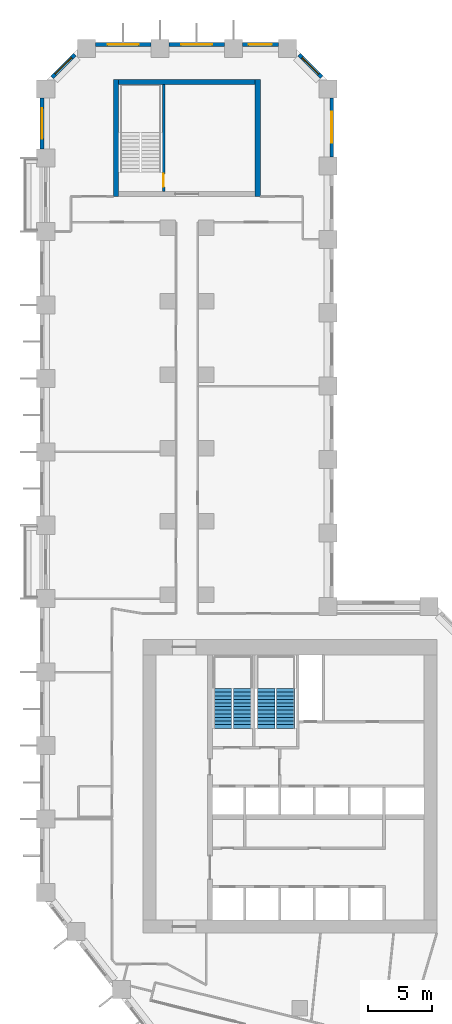
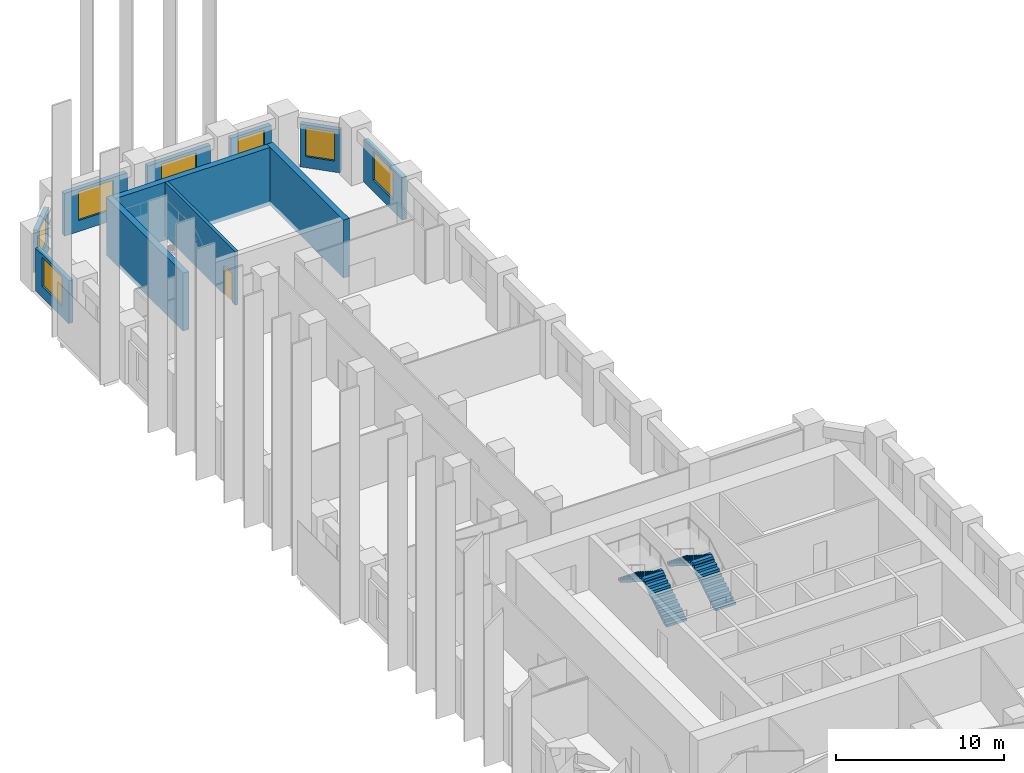
# One storey, part 9 of 11: 11 walls, 7 windows, 4 stair flights, 1 door, 8 openings, 2 elements without a shape of their own.
"""IFC4 building model written with IfcOpenShell, lengths in metres."""

from ifc_helpers import new_model, si_unit, direction, frame, frame_2d, origin, place, context, subcontext, project, spatial, polyline, rectangle, outline, extrude, material, layer, layer_set, type_object, element, fill, aggregate, save


model = new_model("IFC4")

# Units and contexts
model_context = context("Model", 3, precision=1e-05, world=origin(), true_north=direction((0.0, 1.0)))
body_context = subcontext(model_context, "Body", "Model", "MODEL_VIEW")
ifc_project = project(units=[si_unit("LENGTHUNIT", "METRE"), si_unit("AREAUNIT", "SQUARE_METRE"), si_unit("VOLUMEUNIT", "CUBIC_METRE"), si_unit("PLANEANGLEUNIT", "RADIAN"), si_unit("MASSUNIT", "GRAM", prefix="KILO")], contexts=[model_context])

# Site, building, storey
site_placement = place(None, origin())
site = spatial("IfcSite", under=ifc_project, at=site_placement, CompositionType="ELEMENT")
building_placement = place(site_placement, origin())
building = spatial("IfcBuilding", under=site, at=building_placement, Name="Meshkara Civic Tower", CompositionType="ELEMENT")
storey_placement = place(building_placement, frame((0.0, 0.0, 49.800048828125)))
storey = spatial("IfcBuildingStorey", under=building, at=storey_placement, Name="L10", CompositionType="ELEMENT", Elevation=49.800048828125)

# Wall, opening, window
ifc_material_1 = material(Name="Insulated infill panel with bronze anodised aluminium cladding", Category="aluminium")
ifc_layer_1 = layer(ifc_material_1, 0.300048828125)
ifc_layer_set_1 = layer_set([ifc_layer_1], Name="EXTERNAL INFILL WALL 300")
wall_type_1 = type_object("IfcWallType", Name="EXTERNAL INFILL WALL 300", PredefinedType="SOLIDWALL", material=ifc_layer_set_1)
wall_1_placement = place(storey_placement, frame((22.64990234375, 74.35009765625, 0.0), z_axis=(0.0, 0.0, 1.0), x_axis=(0.0, 1.0, 0.0)))
wall_1 = element("IfcWall", 1, at=wall_1_placement, inside=storey, type_object=wall_type_1, Name="External wall", PredefinedType="SOLIDWALL", context=body_context, shape_type="SweptSolid", body=[
    extrude(rectangle(XDim=4.56396484375, YDim=0.300048828125, at=frame_2d((2.281982421875, 0.0))), origin(), (0.0, 0.0, 1.0), 3.099853515625),
])
opening_1_placement = place(wall_1_placement, frame((1.08203125, 0.0, 0.800048828125)))
opening_1 = element("IfcOpeningElement", 2, at=opening_1_placement, cuts=wall_1, Name="Opening W7", PredefinedType="OPENING", context=body_context, shape_type="SweptSolid", body=[
    extrude(rectangle(XDim=2.39990234375, YDim=2.10009765625, at=frame_2d((1.199951171875, 1.050048828125))), frame((0.0, 0.159912109375, 0.0), z_axis=(0.0, -1.0, 0.0), x_axis=(1.0, 0.0, 0.0)), (0.0, 0.0, 1.0), 0.320068359375),
])
ifc_material_2 = material(Name="Tinted double glazing", Category="glass")
window_type_1 = type_object("IfcWindowType", Name="WINDOW 2400x2100", PartitioningType="DOUBLE_PANEL_VERTICAL", PredefinedType="WINDOW", material=ifc_material_2)
window_1_placement = place(opening_1_placement, origin())
window_1 = element("IfcWindow", 3, at=window_1_placement, inside=storey, type_object=window_type_1, Name="Window", OverallHeight=2.10009765625, OverallWidth=2.39990234375, PartitioningType="DOUBLE_PANEL_VERTICAL", PredefinedType="WINDOW", context=body_context, shape_type="SweptSolid", body=[
    extrude(rectangle(XDim=2.39990234375, YDim=2.10009765625, at=frame_2d((1.199951171875, 1.050048828125))), frame((0.0, 0.030029296875, 0.0), z_axis=(0.0, -1.0, 0.0), x_axis=(1.0, 0.0, 0.0)), (0.0, 0.0, 1.0), 0.06005859375),
])
fill(opening_1, window_1)

wall_2_placement = place(storey_placement, frame((21.862060546875, 80.52587890625, 0.0), z_axis=(0.0, 0.0, 1.0), x_axis=(-0.707106781187, 0.707106781187, 0.0)))
wall_2 = element("IfcWall", 4, at=wall_2_placement, inside=storey, type_object=wall_type_1, Name="External wall", PredefinedType="SOLIDWALL", context=body_context, shape_type="SweptSolid", body=[
    extrude(rectangle(XDim=2.4833984375, YDim=0.300048828125, at=frame_2d((1.24169921875, 0.0))), origin(), (0.0, 0.0, 1.0), 3.099853515625),
])
opening_2_placement = place(wall_2_placement, frame((0.342041015625, 0.0, 0.800048828125)))
opening_2 = element("IfcOpeningElement", 5, at=opening_2_placement, cuts=wall_2, Name="Opening W9", PredefinedType="OPENING", context=body_context, shape_type="SweptSolid", body=[
    extrude(rectangle(XDim=1.800048828125, YDim=2.10009765625, at=frame_2d((0.89990234375, 1.050048828125))), frame((0.0, 0.159912109375, 0.0), z_axis=(0.0, -1.0, 0.0), x_axis=(1.0, 0.0, 0.0)), (0.0, 0.0, 1.0), 0.320068359375),
])
ifc_material_3 = material(Name="Tinted double glazing", Category="glass")
window_type_2 = type_object("IfcWindowType", Name="WINDOW 1800x2100", PartitioningType="DOUBLE_PANEL_VERTICAL", PredefinedType="WINDOW", material=ifc_material_3)
window_2_placement = place(opening_2_placement, origin())
window_2 = element("IfcWindow", 6, at=window_2_placement, inside=storey, type_object=window_type_2, Name="Window", OverallHeight=2.10009765625, OverallWidth=1.800048828125, PartitioningType="DOUBLE_PANEL_VERTICAL", PredefinedType="WINDOW", context=body_context, shape_type="SweptSolid", body=[
    extrude(rectangle(XDim=1.800048828125, YDim=2.10009765625, at=frame_2d((0.89990234375, 1.050048828125))), frame((0.0, 0.030029296875, 0.0), z_axis=(0.0, -1.0, 0.0), x_axis=(1.0, 0.0, 0.0)), (0.0, 0.0, 1.0), 0.06005859375),
])
fill(opening_2, window_2)

wall_3_placement = place(storey_placement, frame((18.493896484375, 83.070068359375, 0.0), z_axis=(0.0, 0.0, 1.0), x_axis=(-1.0, 0.0, 0.0)))
wall_3 = element("IfcWall", 7, at=wall_3_placement, inside=storey, type_object=wall_type_1, Name="External wall", PredefinedType="SOLIDWALL", context=body_context, shape_type="SweptSolid", body=[
    extrude(rectangle(XDim=2.787841796875, YDim=0.300048828125, at=frame_2d((1.39404296875, 0.0))), origin(), (0.0, 0.0, 1.0), 3.099853515625),
])
opening_3_placement = place(wall_3_placement, frame((0.493896484375, 0.0, 0.800048828125)))
opening_3 = element("IfcOpeningElement", 8, at=opening_3_placement, cuts=wall_3, Name="Opening W9", PredefinedType="OPENING", context=body_context, shape_type="SweptSolid", body=[
    extrude(rectangle(XDim=1.800048828125, YDim=2.10009765625, at=frame_2d((0.89990234375, 1.050048828125))), frame((0.0, 0.159912109375, 0.0), z_axis=(0.0, -1.0, 0.0), x_axis=(1.0, 0.0, 0.0)), (0.0, 0.0, 1.0), 0.320068359375),
])
window_3_placement = place(opening_3_placement, origin())
window_3 = element("IfcWindow", 9, at=window_3_placement, inside=storey, type_object=window_type_2, Name="Window", OverallHeight=2.10009765625, OverallWidth=1.800048828125, PartitioningType="DOUBLE_PANEL_VERTICAL", PredefinedType="WINDOW", context=body_context, shape_type="SweptSolid", body=[
    extrude(rectangle(XDim=1.800048828125, YDim=2.10009765625, at=frame_2d((0.89990234375, 1.050048828125))), frame((0.0, 0.030029296875, 0.0), z_axis=(0.0, -1.0, 0.0), x_axis=(1.0, 0.0, 0.0)), (0.0, 0.0, 1.0), 0.06005859375),
])
fill(opening_3, window_3)

wall_4_placement = place(storey_placement, frame((14.305908203125, 83.070068359375, 0.0), z_axis=(0.0, 0.0, 1.0), x_axis=(-1.0, 0.0, 0.0)))
wall_4 = element("IfcWall", 10, at=wall_4_placement, inside=storey, type_object=wall_type_1, Name="External wall", PredefinedType="SOLIDWALL", context=body_context, shape_type="SweptSolid", body=[
    extrude(rectangle(XDim=4.2998046875, YDim=0.300048828125, at=frame_2d((2.14990234375, 0.0))), origin(), (0.0, 0.0, 1.0), 3.099853515625),
])
opening_4_placement = place(wall_4_placement, frame((0.949951171875, 0.0, 0.800048828125)))
opening_4 = element("IfcOpeningElement", 11, at=opening_4_placement, cuts=wall_4, Name="Opening W7", PredefinedType="OPENING", context=body_context, shape_type="SweptSolid", body=[
    extrude(rectangle(XDim=2.39990234375, YDim=2.10009765625, at=frame_2d((1.199951171875, 1.050048828125))), frame((0.0, 0.159912109375, 0.0), z_axis=(0.0, -1.0, 0.0), x_axis=(1.0, 0.0, 0.0)), (0.0, 0.0, 1.0), 0.320068359375),
])
window_4_placement = place(opening_4_placement, origin())
window_4 = element("IfcWindow", 12, at=window_4_placement, inside=storey, type_object=window_type_1, Name="Window", OverallHeight=2.10009765625, OverallWidth=2.39990234375, PartitioningType="DOUBLE_PANEL_VERTICAL", PredefinedType="WINDOW", context=body_context, shape_type="SweptSolid", body=[
    extrude(rectangle(XDim=2.39990234375, YDim=2.10009765625, at=frame_2d((1.199951171875, 1.050048828125))), frame((0.0, 0.030029296875, 0.0), z_axis=(0.0, -1.0, 0.0), x_axis=(1.0, 0.0, 0.0)), (0.0, 0.0, 1.0), 0.06005859375),
])
fill(opening_4, window_4)

wall_5_placement = place(storey_placement, frame((8.60595703125, 83.070068359375, 0.0), z_axis=(0.0, 0.0, 1.0), x_axis=(-1.0, 0.0, 0.0)))
wall_5 = element("IfcWall", 13, at=wall_5_placement, inside=storey, type_object=wall_type_1, Name="External wall", PredefinedType="SOLIDWALL", context=body_context, shape_type="SweptSolid", body=[
    extrude(rectangle(XDim=4.300048828125, YDim=0.300048828125, at=frame_2d((2.14990234375, 0.0))), origin(), (0.0, 0.0, 1.0), 3.099853515625),
])
opening_5_placement = place(wall_5_placement, frame((0.949951171875, 0.0, 0.800048828125)))
opening_5 = element("IfcOpeningElement", 14, at=opening_5_placement, cuts=wall_5, Name="Opening W7", PredefinedType="OPENING", context=body_context, shape_type="SweptSolid", body=[
    extrude(rectangle(XDim=2.39990234375, YDim=2.10009765625, at=frame_2d((1.199951171875, 1.050048828125))), frame((0.0, 0.159912109375, 0.0), z_axis=(0.0, -1.0, 0.0), x_axis=(1.0, 0.0, 0.0)), (0.0, 0.0, 1.0), 0.320068359375),
])
window_5_placement = place(opening_5_placement, origin())
window_5 = element("IfcWindow", 15, at=window_5_placement, inside=storey, type_object=window_type_1, Name="Window", OverallHeight=2.10009765625, OverallWidth=2.39990234375, PartitioningType="DOUBLE_PANEL_VERTICAL", PredefinedType="WINDOW", context=body_context, shape_type="SweptSolid", body=[
    extrude(rectangle(XDim=2.39990234375, YDim=2.10009765625, at=frame_2d((1.199951171875, 1.050048828125))), frame((0.0, 0.030029296875, 0.0), z_axis=(0.0, -1.0, 0.0), x_axis=(1.0, 0.0, 0.0)), (0.0, 0.0, 1.0), 0.06005859375),
])
fill(opening_5, window_5)

wall_6_placement = place(storey_placement, frame((2.694091796875, 82.281982421875, 0.0), z_axis=(0.0, 0.0, 1.0), x_axis=(-0.707106781187, -0.707106781187, 0.0)))
wall_6 = element("IfcWall", 16, at=wall_6_placement, inside=storey, type_object=wall_type_1, Name="External wall", PredefinedType="SOLIDWALL", context=body_context, shape_type="SweptSolid", body=[
    extrude(rectangle(XDim=2.4833984375, YDim=0.300048828125, at=frame_2d((1.24169921875, 0.0))), origin(), (0.0, 0.0, 1.0), 3.099853515625),
])
opening_6_placement = place(wall_6_placement, frame((0.342041015625, 0.0, 0.800048828125)))
opening_6 = element("IfcOpeningElement", 17, at=opening_6_placement, cuts=wall_6, Name="Opening W9", PredefinedType="OPENING", context=body_context, shape_type="SweptSolid", body=[
    extrude(rectangle(XDim=1.800048828125, YDim=2.10009765625, at=frame_2d((0.89990234375, 1.050048828125))), frame((0.0, 0.159912109375, 0.0), z_axis=(0.0, -1.0, 0.0), x_axis=(1.0, 0.0, 0.0)), (0.0, 0.0, 1.0), 0.320068359375),
])
window_6_placement = place(opening_6_placement, origin())
window_6 = element("IfcWindow", 18, at=window_6_placement, inside=storey, type_object=window_type_2, Name="Window", OverallHeight=2.10009765625, OverallWidth=1.800048828125, PartitioningType="DOUBLE_PANEL_VERTICAL", PredefinedType="WINDOW", context=body_context, shape_type="SweptSolid", body=[
    extrude(rectangle(XDim=1.800048828125, YDim=2.10009765625, at=frame_2d((0.89990234375, 1.050048828125))), frame((0.0, 0.030029296875, 0.0), z_axis=(0.0, -1.0, 0.0), x_axis=(1.0, 0.0, 0.0)), (0.0, 0.0, 1.0), 0.06005859375),
])
fill(opening_6, window_6)

wall_7_placement = place(storey_placement, frame((0.14990234375, 78.9140625, 0.0), z_axis=(0.0, 0.0, 1.0), x_axis=(0.0, -1.0, 0.0)))
wall_7 = element("IfcWall", 19, at=wall_7_placement, inside=storey, type_object=wall_type_1, Name="External wall", PredefinedType="SOLIDWALL", context=body_context, shape_type="SweptSolid", body=[
    extrude(rectangle(XDim=3.958984375, YDim=0.300048828125, at=frame_2d((1.9794921875, 0.0))), origin(), (0.0, 0.0, 1.0), 3.099853515625),
])
opening_7_placement = place(wall_7_placement, frame((0.780029296875, 0.0, 0.800048828125)))
opening_7 = element("IfcOpeningElement", 20, at=opening_7_placement, cuts=wall_7, Name="Opening W7", PredefinedType="OPENING", context=body_context, shape_type="SweptSolid", body=[
    extrude(rectangle(XDim=2.39990234375, YDim=2.10009765625, at=frame_2d((1.199951171875, 1.050048828125))), frame((0.0, 0.159912109375, 0.0), z_axis=(0.0, -1.0, 0.0), x_axis=(1.0, 0.0, 0.0)), (0.0, 0.0, 1.0), 0.320068359375),
])
window_7_placement = place(opening_7_placement, origin())
window_7 = element("IfcWindow", 21, at=window_7_placement, inside=storey, type_object=window_type_1, Name="Window", OverallHeight=2.10009765625, OverallWidth=2.39990234375, PartitioningType="DOUBLE_PANEL_VERTICAL", PredefinedType="WINDOW", context=body_context, shape_type="SweptSolid", body=[
    extrude(rectangle(XDim=2.39990234375, YDim=2.10009765625, at=frame_2d((1.199951171875, 1.050048828125))), frame((0.0, 0.030029296875, 0.0), z_axis=(0.0, -1.0, 0.0), x_axis=(1.0, 0.0, 0.0)), (0.0, 0.0, 1.0), 0.06005859375),
])
fill(opening_7, window_7)

# Walls
ifc_material_4 = material(Name="Concrete C80", Category="concrete")
ifc_layer_2 = layer(ifc_material_4, 0.39990234375)
ifc_layer_set_2 = layer_set([ifc_layer_2], Name="End core ring wall 400 C80")
wall_type_2 = type_object("IfcWallType", Name="End core ring wall 400 C80", PredefinedType="SHEAR", material=ifc_layer_set_2)
for number, where, z_axis, x_axis, name in (
    (22, (5.89990234375, 71.27001953125, -0.300048828125), (0.0, 0.0, 1.0), (0.0, 1.0, 0.0), "L10-C025"),
    (23, (16.89990234375, 71.27001953125, -0.300048828125), (0.0, 0.0, 1.0), (0.0, 1.0, 0.0), "L10-C026"),
):
    element("IfcWall", number, at=place(storey_placement, frame(where, z_axis=z_axis, x_axis=x_axis)), inside=storey, type_object=wall_type_2, Name=name, PredefinedType="SHEAR", context=body_context, shape_type="SweptSolid", body=[
        extrude(rectangle(XDim=9.10009765625, YDim=0.39990234375, at=frame_2d((4.550048828125, 0.0))), origin(), (0.0, 0.0, 1.0), 4.199951171875),
    ])
wall_8_placement = place(storey_placement, frame((6.10009765625, 80.169921875, -0.300048828125), z_axis=(0.0, 0.0, 1.0), x_axis=(1.0, 0.0, 0.0)))
element("IfcWall", 24, at=wall_8_placement, inside=storey, type_object=wall_type_2, Name="L10-C028", PredefinedType="SHEAR", context=body_context, shape_type="SweptSolid", body=[
    extrude(rectangle(XDim=10.599853515625, YDim=0.39990234375, at=frame_2d((5.2998046875, 0.0))), origin(), (0.0, 0.0, 1.0), 4.199951171875),
])

# Wall, opening, door
ifc_material_5 = material(Name="Concrete C40/50", Category="concrete")
ifc_layer_3 = layer(ifc_material_5, 0.199951171875)
ifc_layer_set_3 = layer_set([ifc_layer_3], Name="Stair enclosure wall 200 C40/50")
wall_type_3 = type_object("IfcWallType", Name="Stair enclosure wall 200 C40/50", PredefinedType="SOLIDWALL", material=ifc_layer_set_3)
wall_9_placement = place(storey_placement, frame((9.60009765625, 71.669921875, 0.0), z_axis=(0.0, 0.0, 1.0), x_axis=(0.0, 1.0, 0.0)))
wall_9 = element("IfcWall", 25, at=wall_9_placement, inside=storey, type_object=wall_type_3, Name="L10-C029", PredefinedType="SOLIDWALL", context=body_context, shape_type="SweptSolid", body=[
    extrude(rectangle(XDim=8.300048828125, YDim=0.199951171875, at=frame_2d((4.14990234375, 0.0))), origin(), (0.0, 0.0, 1.0), 3.89990234375),
])
opening_8_placement = place(wall_9_placement, frame((0.35009765625, 0.0, 0.0)))
opening_8 = element("IfcOpeningElement", 26, at=opening_8_placement, cuts=wall_9, Name="Opening L10-K101", PredefinedType="OPENING", context=body_context, shape_type="SweptSolid", body=[
    extrude(rectangle(XDim=1.0, YDim=2.10009765625, at=frame_2d((0.5, 1.050048828125))), frame((0.0, 0.10986328125, 0.0), z_axis=(0.0, -1.0, 0.0), x_axis=(1.0, 0.0, 0.0)), (0.0, 0.0, 1.0), 0.219970703125),
])
ifc_material_6 = material(Name="Fire-rated door leaf in steel frame", Category="steel")
door_type = type_object("IfcDoorType", Name="Stair door 1000 EI 120", OperationType="SINGLE_SWING_LEFT", PredefinedType="DOOR", material=ifc_material_6)
door_placement = place(opening_8_placement, origin())
door = element("IfcDoor", 27, at=door_placement, inside=storey, type_object=door_type, Name="L10-K101", OperationType="SINGLE_SWING_RIGHT", OverallHeight=2.10009765625, OverallWidth=1.0, PredefinedType="DOOR", context=body_context, shape_type="SweptSolid", body=[
    extrude(rectangle(XDim=1.0, YDim=2.10009765625, at=frame_2d((0.5, 1.050048828125))), frame((0.0, 0.02490234375, 0.0), z_axis=(0.0, -1.0, 0.0), x_axis=(1.0, 0.0, 0.0)), (0.0, 0.0, 1.0), 0.050048828125),
])
fill(opening_8, door)

# Stair, stair flights
ifc_material_7 = material(Name="Precast concrete C40/50", Category="concrete")
stair_type = type_object("IfcStairType", Name="Exit stair half-turn 24 risers precast", PredefinedType="HALF_TURN_STAIR", material=ifc_material_7)
stair_1_placement = place(storey_placement, origin())
stair_1 = element("IfcStair", 28, at=stair_1_placement, inside=storey, type_object=stair_type, Name="L10 exit stair 1", PredefinedType="HALF_TURN_STAIR")
ifc_material_8 = material(Name="Precast concrete C40/50", Category="concrete")
stair_flight_type = type_object("IfcStairFlightType", Name="Exit stair flight 12 risers precast", PredefinedType="STRAIGHT", material=ifc_material_8)
stair_flight_1_placement = place(storey_placement, frame((15.72509765625, 30.0, 0.0), z_axis=(0.0, 0.0, 1.0), x_axis=(0.0, 1.0, 0.0)))
stair_flight_1 = element("IfcStairFlight", 29, at=stair_flight_1_placement, type_object=stair_flight_type, Name="ST1 flight 1", NumberOfRisers=12, NumberOfTreads=11, PredefinedType="STRAIGHT", RiserHeight=0.175, TreadLength=0.28, context=body_context, shape_type="SweptSolid", body=[
    extrude(outline(polyline([(0.0, 0.0), (0.0, 0.175048828125), (0.280029296875, 0.175048828125), (0.280029296875, 0.35009765625), (0.56005859375, 0.35009765625), (0.56005859375, 0.52490234375), (0.840087890625, 0.52490234375), (0.840087890625, 0.699951171875), (1.1201171875, 0.699951171875), (1.1201171875, 0.875), (1.39990234375, 0.875), (1.39990234375, 1.050048828125), (1.679931640625, 1.050048828125), (1.679931640625, 1.22509765625), (1.9599609375, 1.22509765625), (1.9599609375, 1.39990234375), (2.239990234375, 1.39990234375), (2.239990234375, 1.574951171875), (2.52001953125, 1.574951171875), (2.52001953125, 1.75), (2.800048828125, 1.75), (2.800048828125, 1.925048828125), (3.080078125, 1.925048828125), (3.080078125, 2.10009765625), (3.080078125, 1.748291015625), (0.28271484375, 0.0), (0.0, 0.0)])), frame((0.0, 0.699951171875, 0.0), z_axis=(0.0, -1.0, 0.0), x_axis=(1.0, 0.0, 0.0)), (0.0, 0.0, 1.0), 1.39990234375),
])
stair_flight_2_placement = place(storey_placement, frame((14.175048828125, 33.080078125, 2.099853515625), z_axis=(0.0, 0.0, 1.0), x_axis=(0.0, -1.0, 0.0)))
stair_flight_2 = element("IfcStairFlight", 30, at=stair_flight_2_placement, type_object=stair_flight_type, Name="ST1 flight 2", NumberOfRisers=12, NumberOfTreads=11, PredefinedType="STRAIGHT", RiserHeight=0.175, TreadLength=0.28, context=body_context, shape_type="SweptSolid", body=[
    extrude(outline(polyline([(0.0, 0.0), (0.0, 0.175048828125), (0.280029296875, 0.175048828125), (0.280029296875, 0.35009765625), (0.56005859375, 0.35009765625), (0.56005859375, 0.52490234375), (0.840087890625, 0.52490234375), (0.840087890625, 0.699951171875), (1.1201171875, 0.699951171875), (1.1201171875, 0.875), (1.39990234375, 0.875), (1.39990234375, 1.050048828125), (1.679931640625, 1.050048828125), (1.679931640625, 1.22509765625), (1.9599609375, 1.22509765625), (1.9599609375, 1.39990234375), (2.239990234375, 1.39990234375), (2.239990234375, 1.574951171875), (2.52001953125, 1.574951171875), (2.52001953125, 1.75), (2.800048828125, 1.75), (2.800048828125, 1.925048828125), (3.080078125, 1.925048828125), (3.080078125, 2.10009765625), (3.080078125, 1.748291015625), (0.28271484375, 0.0), (0.0, 0.0)])), frame((0.0, 0.699951171875, 0.0), z_axis=(0.0, -1.0, 0.0), x_axis=(1.0, 0.0, 0.0)), (0.0, 0.0, 1.0), 1.39990234375),
])
aggregate(stair_1, [stair_flight_1, stair_flight_2])

stair_2_placement = place(storey_placement, origin())
stair_2 = element("IfcStair", 31, at=stair_2_placement, inside=storey, type_object=stair_type, Name="L10 exit stair 2", PredefinedType="HALF_TURN_STAIR")
stair_flight_3_placement = place(storey_placement, frame((19.074951171875, 30.0, 0.0), z_axis=(0.0, 0.0, 1.0), x_axis=(0.0, 1.0, 0.0)))
stair_flight_3 = element("IfcStairFlight", 32, at=stair_flight_3_placement, type_object=stair_flight_type, Name="ST2 flight 1", NumberOfRisers=12, NumberOfTreads=11, PredefinedType="STRAIGHT", RiserHeight=0.175, TreadLength=0.28, context=body_context, shape_type="SweptSolid", body=[
    extrude(outline(polyline([(0.0, 0.0), (0.0, 0.175048828125), (0.280029296875, 0.175048828125), (0.280029296875, 0.35009765625), (0.56005859375, 0.35009765625), (0.56005859375, 0.52490234375), (0.840087890625, 0.52490234375), (0.840087890625, 0.699951171875), (1.1201171875, 0.699951171875), (1.1201171875, 0.875), (1.39990234375, 0.875), (1.39990234375, 1.050048828125), (1.679931640625, 1.050048828125), (1.679931640625, 1.22509765625), (1.9599609375, 1.22509765625), (1.9599609375, 1.39990234375), (2.239990234375, 1.39990234375), (2.239990234375, 1.574951171875), (2.52001953125, 1.574951171875), (2.52001953125, 1.75), (2.800048828125, 1.75), (2.800048828125, 1.925048828125), (3.080078125, 1.925048828125), (3.080078125, 2.10009765625), (3.080078125, 1.748291015625), (0.28271484375, 0.0), (0.0, 0.0)])), frame((0.0, 0.699951171875, 0.0), z_axis=(0.0, -1.0, 0.0), x_axis=(1.0, 0.0, 0.0)), (0.0, 0.0, 1.0), 1.39990234375),
])
stair_flight_4_placement = place(storey_placement, frame((17.52490234375, 33.080078125, 2.099853515625), z_axis=(0.0, 0.0, 1.0), x_axis=(0.0, -1.0, 0.0)))
stair_flight_4 = element("IfcStairFlight", 33, at=stair_flight_4_placement, type_object=stair_flight_type, Name="ST2 flight 2", NumberOfRisers=12, NumberOfTreads=11, PredefinedType="STRAIGHT", RiserHeight=0.175, TreadLength=0.28, context=body_context, shape_type="SweptSolid", body=[
    extrude(outline(polyline([(0.0, 0.0), (0.0, 0.175048828125), (0.280029296875, 0.175048828125), (0.280029296875, 0.35009765625), (0.56005859375, 0.35009765625), (0.56005859375, 0.52490234375), (0.840087890625, 0.52490234375), (0.840087890625, 0.699951171875), (1.1201171875, 0.699951171875), (1.1201171875, 0.875), (1.39990234375, 0.875), (1.39990234375, 1.050048828125), (1.679931640625, 1.050048828125), (1.679931640625, 1.22509765625), (1.9599609375, 1.22509765625), (1.9599609375, 1.39990234375), (2.239990234375, 1.39990234375), (2.239990234375, 1.574951171875), (2.52001953125, 1.574951171875), (2.52001953125, 1.75), (2.800048828125, 1.75), (2.800048828125, 1.925048828125), (3.080078125, 1.925048828125), (3.080078125, 2.10009765625), (3.080078125, 1.748291015625), (0.28271484375, 0.0), (0.0, 0.0)])), frame((0.0, 0.699951171875, 0.0), z_axis=(0.0, -1.0, 0.0), x_axis=(1.0, 0.0, 0.0)), (0.0, 0.0, 1.0), 1.39990234375),
])
aggregate(stair_2, [stair_flight_3, stair_flight_4])

save(model, "model.ifc")
